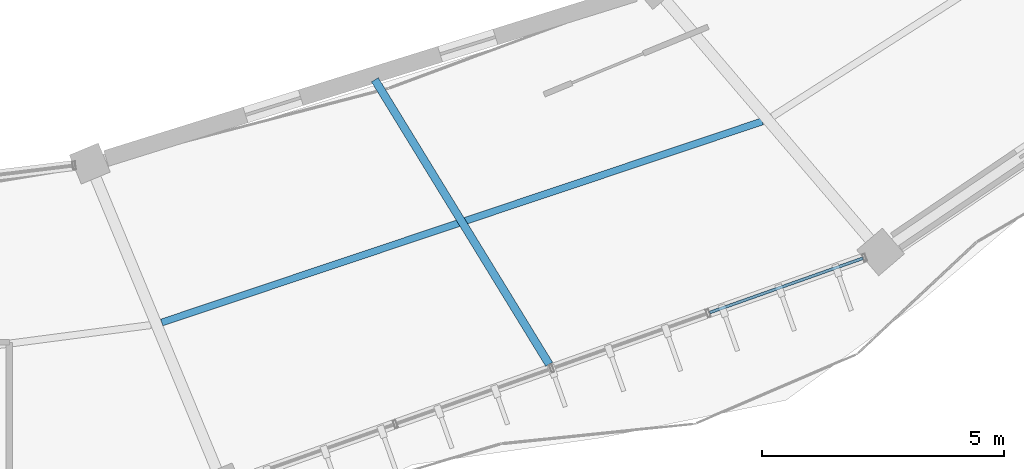
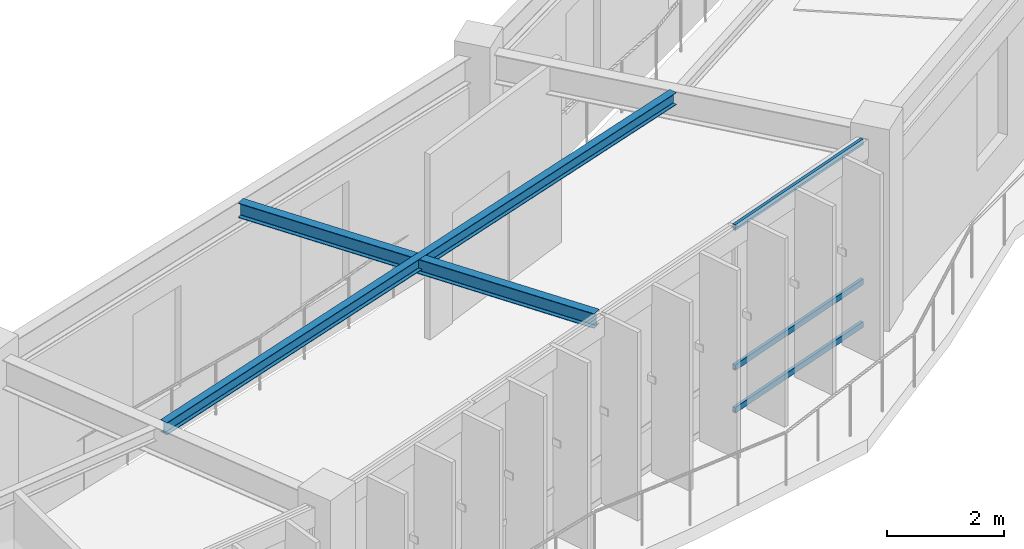
# One storey, part 57 of 138: 3 members, 2 beams, 1 element without a shape of its own.
"""IFC4 building model written with IfcOpenShell, lengths in metres."""

from ifc_helpers import new_model, si_unit, direction, frame, origin, origin_2d, place, context, subcontext, project, spatial, hollow_rectangle, i_section, extrude, material, material_profile, profile_set, type_object, element, aggregate, save


model = new_model("IFC4")

# Units and contexts
model_context = context("Model", 3, precision=1e-05, world=origin(), true_north=direction((0.0, 1.0)))
body_context = subcontext(model_context, "Body", "Model", "MODEL_VIEW")
ifc_project = project(units=[si_unit("LENGTHUNIT", "METRE"), si_unit("AREAUNIT", "SQUARE_METRE"), si_unit("VOLUMEUNIT", "CUBIC_METRE"), si_unit("PLANEANGLEUNIT", "RADIAN"), si_unit("MASSUNIT", "GRAM", prefix="KILO"), si_unit("THERMODYNAMICTEMPERATUREUNIT", "KELVIN"), si_unit("POWERUNIT", "WATT")], contexts=[model_context])

# Site, building, storey
site_placement = place(None, origin())
site = spatial("IfcSite", under=ifc_project, at=site_placement, CompositionType="ELEMENT")
building_placement = place(site_placement, origin())
building = spatial("IfcBuilding", under=site, at=building_placement, Name="Darbajah Civic Hall", CompositionType="ELEMENT")
storey_placement = place(building_placement, frame((0.0, 0.0, 9.60009765625)))
storey = spatial("IfcBuildingStorey", under=building, at=storey_placement, Name="L02", CompositionType="ELEMENT", Elevation=9.60009765625)

# Curtain wall, members
ifc_material_1 = material(Name="Anodised Bronze Aluminium and Low-E Glazing", Category="aluminium")
curtain_wall_type = type_object("IfcCurtainWallType", Name="Unitised Curtain Wall CW-33 13700x3900", PredefinedType="USERDEFINED", material=ifc_material_1)
curtain_wall_placement = place(storey_placement, origin())
curtain_wall = element("IfcCurtainWall", 1, at=curtain_wall_placement, inside=storey, type_object=curtain_wall_type, Name="L02 unitised curtain wall CW-V1O-L02-16", ObjectType="UNITISED CURTAIN WALL", PredefinedType="USERDEFINED")
ifc_material_2 = material(Name="Anodised Bronze Aluminium", Category="aluminium")
ifc_material_profile_1 = material_profile(ifc_material_2, hollow_rectangle(XDim=0.06005859375, YDim=0.1201171875, WallThickness=0.003173828125, at=origin_2d()), Name="ALU TRANSOM 60x120")
ifc_profile_set_1 = profile_set([ifc_material_profile_1], Name="Anodised Bronze Aluminium")
member_type = type_object("IfcMemberType", Name="ALU TRANSOM 60x120", PredefinedType="USERDEFINED", material=ifc_profile_set_1)
member_1_placement = place(storey_placement, frame((118.687744140625, 66.115234375, 0.059814453125), z_axis=(0.942531035504, 0.334118612339, 0.0), x_axis=(-0.334118612339, 0.942531035504, 0.0)))
member_1 = element("IfcMember", 2, at=member_1_placement, type_object=member_type, Name="CW-V1O-L02-16 transom 4.1", ObjectType="TRANSOM", PredefinedType="USERDEFINED", context=body_context, shape_type="SweptSolid", body=[
    extrude(hollow_rectangle(XDim=0.06005859375, YDim=0.1201171875, WallThickness=0.003173828125, at=origin_2d()), origin(), (0.0, 0.0, 1.0), 3.36279296875),
])
member_2_placement = place(storey_placement, frame((118.687744140625, 66.115234375, 0.949951171875), z_axis=(0.942531035504, 0.334118612339, 0.0), x_axis=(-0.334118612339, 0.942531035504, 0.0)))
member_2 = element("IfcMember", 3, at=member_2_placement, type_object=member_type, Name="CW-V1O-L02-16 transom 4.2", ObjectType="TRANSOM", PredefinedType="USERDEFINED", context=body_context, shape_type="SweptSolid", body=[
    extrude(hollow_rectangle(XDim=0.06005859375, YDim=0.1201171875, WallThickness=0.003173828125, at=origin_2d()), origin(), (0.0, 0.0, 1.0), 3.36279296875),
])
member_3_placement = place(storey_placement, frame((118.687744140625, 66.115234375, 3.85986328125), z_axis=(0.942531035504, 0.334118612339, 0.0), x_axis=(-0.334118612339, 0.942531035504, 0.0)))
member_3 = element("IfcMember", 4, at=member_3_placement, type_object=member_type, Name="CW-V1O-L02-16 transom 4.3", ObjectType="TRANSOM", PredefinedType="USERDEFINED", context=body_context, shape_type="SweptSolid", body=[
    extrude(hollow_rectangle(XDim=0.06005859375, YDim=0.1201171875, WallThickness=0.003173828125, at=origin_2d()), origin(), (0.0, 0.0, 1.0), 3.36279296875),
])
aggregate(curtain_wall, [member_1, member_2, member_3])

# Beams
ifc_material_3 = material(Name="Steel S355JR", Category="steel")
ifc_material_profile_2 = material_profile(ifc_material_3, i_section(OverallWidth=0.146484375, OverallDepth=0.256103515625, WebThickness=0.00634765625, FlangeThickness=0.010986328125, FilletRadius=0.007568359375, at=origin_2d()), Name="UB 254x146x37")
ifc_profile_set_2 = profile_set([ifc_material_profile_2], Name="Steel S355JR")
beam_type_1 = type_object("IfcBeamType", Name="UB 254x146x37", PredefinedType="JOIST", material=ifc_profile_set_2)
beam_1_placement = place(storey_placement, frame((107.34912109375, 65.908447265625, 3.7919921875), z_axis=(0.948257615403, 0.317501960357, 0.0), x_axis=(-0.317501960357, 0.948257615403, 0.0)))
element("IfcBeam", 5, at=beam_1_placement, inside=storey, type_object=beam_type_1, Name="L02 beam SJ-254", PredefinedType="JOIST", context=body_context, shape_type="SweptSolid", body=[
    extrude(i_section(OverallWidth=0.146484375, OverallDepth=0.256103515625, WebThickness=0.00634765625, FlangeThickness=0.010986328125, FilletRadius=0.007568359375, at=origin_2d()), origin(), (0.0, 0.0, 1.0), 13.102783203125),
])
ifc_material_profile_3 = material_profile(ifc_material_3, i_section(OverallWidth=0.165771484375, OverallDepth=0.306640625, WebThickness=0.006591796875, FlangeThickness=0.01171875, FilletRadius=0.0087890625, at=origin_2d()), Name="UB 305x165x46")
ifc_profile_set_3 = profile_set([ifc_material_profile_3], Name="Steel S355JR")
beam_type_2 = type_object("IfcBeamType", Name="UB 305x165x46", PredefinedType="JOIST", material=ifc_profile_set_3)
beam_2_placement = place(storey_placement, frame((111.759033203125, 70.9296875, 3.7666015625), z_axis=(0.522523909848, -0.852624632319, 0.0), x_axis=(0.852624632319, 0.522523909848, 0.0)))
element("IfcBeam", 6, at=beam_2_placement, inside=storey, type_object=beam_type_2, Name="L02 beam SJ-305", PredefinedType="JOIST", context=body_context, shape_type="SweptSolid", body=[
    extrude(i_section(OverallWidth=0.165771484375, OverallDepth=0.306640625, WebThickness=0.006591796875, FlangeThickness=0.01171875, FilletRadius=0.0087890625, at=origin_2d()), origin(), (0.0, 0.0, 1.0), 6.9033203125),
])

save(model, "model.ifc")
